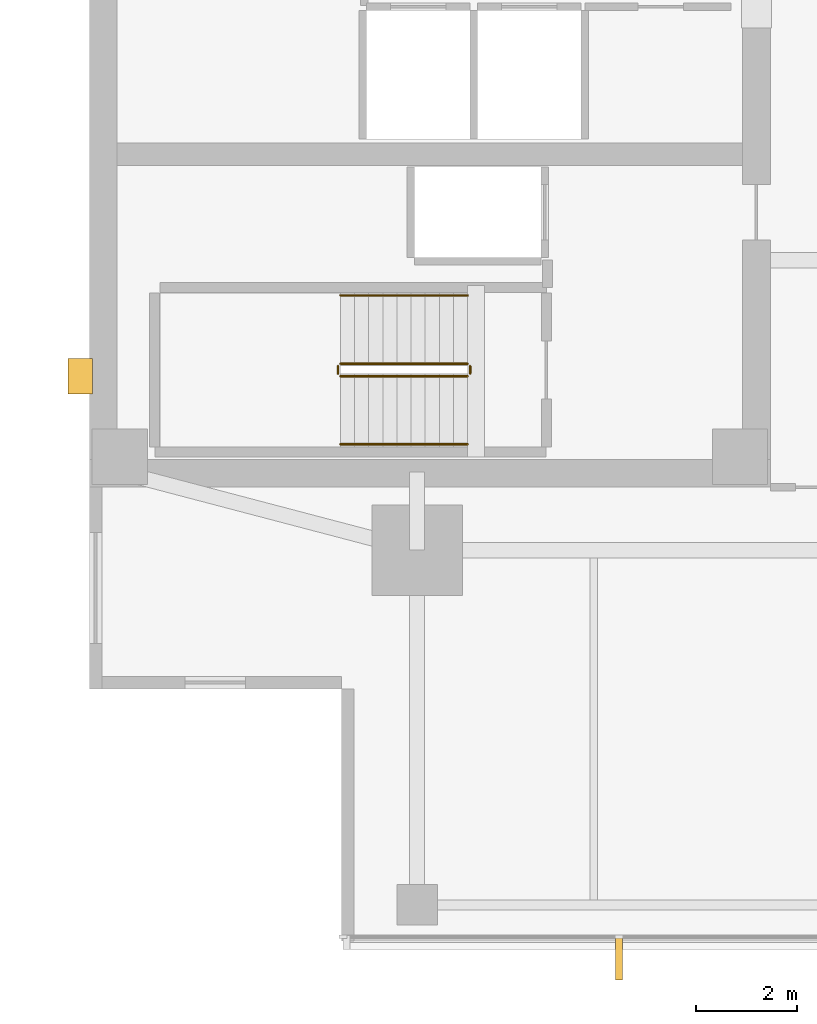
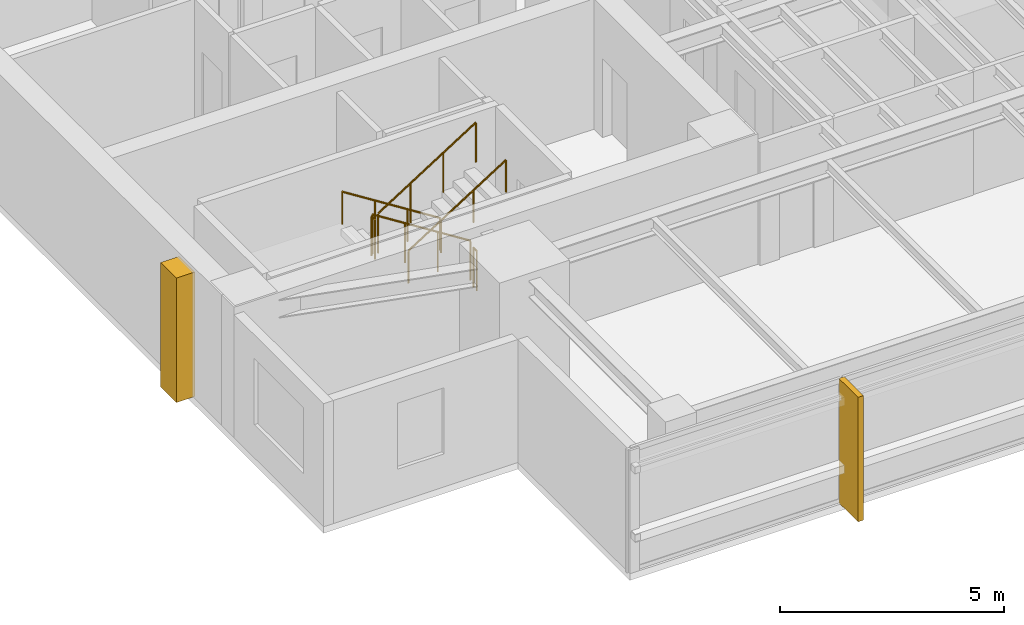
# One storey, part 11 of 15: 6 railings, 2 coverings.
"""IFC4 building model written with IfcOpenShell, lengths in metres."""

from ifc_helpers import new_model, si_unit, direction, frame, origin, origin_2d, place, context, subcontext, project, spatial, polyline, circle, outline, extrude, material, layer, layer_set, type_object, element, save


model = new_model("IFC4")

# Units and contexts
model_context = context("Model", 3, precision=1e-05, world=origin(), true_north=direction((0.0, 1.0)))
body_context = subcontext(model_context, "Body", "Model", "MODEL_VIEW")
ifc_project = project(units=[si_unit("LENGTHUNIT", "METRE"), si_unit("AREAUNIT", "SQUARE_METRE"), si_unit("VOLUMEUNIT", "CUBIC_METRE"), si_unit("PLANEANGLEUNIT", "RADIAN"), si_unit("MASSUNIT", "GRAM", prefix="KILO")], contexts=[model_context])

# Site, building, storey
site_placement = place(None, origin())
site = spatial("IfcSite", under=ifc_project, at=site_placement, CompositionType="ELEMENT")
building_placement = place(site_placement, origin())
building = spatial("IfcBuilding", under=site, at=building_placement, Name="Kinhvarn Gate Tower", CompositionType="ELEMENT")
storey_placement = place(building_placement, frame((0.0, 0.0, 237.75)))
storey = spatial("IfcBuildingStorey", under=building, at=storey_placement, Name="L63", CompositionType="ELEMENT", Elevation=237.75)

# Coverings
ifc_material_1 = material(Name="Fired architectural terracotta", Category="masonry")
ifc_layer_1 = layer(ifc_material_1, 0.139892578125)
ifc_layer_set_1 = layer_set([ifc_layer_1], Name="Fired architectural terracotta")
covering_type_1 = type_object("IfcCoveringType", Name="COV-FIN-850", PredefinedType="CLADDING", material=ifc_layer_set_1)
covering_1_placement = place(storey_placement, frame((0.0, 0.0, -0.02001953125)))
element("IfcCovering", 1, at=covering_1_placement, inside=storey, type_object=covering_type_1, Name="Vertical Terracotta Expressive Fin TFN-850 (L63)", PredefinedType="CLADDING", context=body_context, shape_type="SweptSolid", body=[
    extrude(outline(polyline([(14.929931640625, 5.080078125), (15.070068359375, 5.080078125), (15.070068359375, 4.22998046875), (14.929931640625, 4.22998046875), (14.929931640625, 5.080078125)])), origin(), (0.0, 0.0, 1.0), 3.39013671875),
])
ifc_material_2 = material(Name="Precast white architectural concrete C40/50", Category="concrete")
ifc_layer_2 = layer(ifc_material_2, 0.47998046875)
ifc_layer_set_2 = layer_set([ifc_layer_2], Name="Precast white architectural concrete C40/50")
covering_type_2 = type_object("IfcCoveringType", Name="COV-RIB-450", PredefinedType="CLADDING", material=ifc_layer_set_2)
covering_2_placement = place(storey_placement, frame((0.0, 0.0, -0.02001953125)))
element("IfcCovering", 2, at=covering_2_placement, inside=storey, type_object=covering_type_2, Name="West Core Sculptural Concrete Relief Rib CRB-450 (L63)", PredefinedType="CLADDING", context=body_context, shape_type="SweptSolid", body=[
    extrude(outline(polyline([(4.080078125, 15.85009765625), (4.56005859375, 15.85009765625), (4.56005859375, 16.550048828125), (4.080078125, 16.550048828125), (4.080078125, 15.85009765625)])), origin(), (0.0, 0.0, 1.0), 3.39013671875),
])

# Railings
ifc_material_3 = material(Name="Steel S355", Category="steel")
railing_type_1 = type_object("IfcRailingType", Name="RL-ST-GRD", PredefinedType="BALUSTRADE", material=ifc_material_3)
railing_1_placement = place(storey_placement, frame((12.0, 16.449951171875, 0.177490234375)))
element("IfcRailing", 3, at=railing_1_placement, inside=storey, type_object=railing_type_1, Name="L63 ST1 stair guard 1", PredefinedType="BALUSTRADE", context=body_context, shape_type="SweptSolid", body=[
    extrude(circle(Radius=0.02392578125, at=origin_2d()), frame((0.0, 0.0, 1.076171875), z_axis=(-0.84460694969, 0.0, 0.535386869969), x_axis=(0.0, -1.0, 0.0)), (0.0, 0.0, 1.0), 2.983642578125),
    extrude(circle(Radius=0.02099609375, at=origin_2d()), origin(), (0.0, 0.0, 1.0), 1.052001953125),
    extrude(circle(Radius=0.02099609375, at=origin_2d()), frame((-0.840087890625, 0.0, 0.532470703125)), (0.0, 0.0, 1.0), 1.052001953125),
    extrude(circle(Radius=0.02099609375, at=origin_2d()), frame((-1.679931640625, 0.0, 1.06494140625)), (0.0, 0.0, 1.0), 1.052001953125),
    extrude(circle(Radius=0.02099609375, at=origin_2d()), frame((-2.52001953125, 0.0, 1.597412109375)), (0.0, 0.0, 1.0), 1.052001953125),
])
railing_2_placement = place(storey_placement, frame((9.429931640625, 16.39990234375, 1.77490234375)))
element("IfcRailing", 4, at=railing_2_placement, inside=storey, type_object=railing_type_1, Name="L63 ST1 stair guard 2", PredefinedType="BALUSTRADE", context=body_context, shape_type="SweptSolid", body=[
    extrude(circle(Radius=0.02392578125, at=origin_2d()), frame((0.0, 0.0, 1.076171875), z_axis=(0.0, -1.0, 0.0), x_axis=(1.0, 0.0, 0.0)), (0.0, 0.0, 1.0), 0.14990234375),
    extrude(circle(Radius=0.02099609375, at=origin_2d()), origin(), (0.0, 0.0, 1.0), 1.052001953125),
    extrude(circle(Radius=0.02099609375, at=origin_2d()), frame((0.0, -0.14990234375, 0.0)), (0.0, 0.0, 1.0), 1.052001953125),
])
railing_3_placement = place(storey_placement, frame((9.47998046875, 16.199951171875, 1.952392578125)))
element("IfcRailing", 5, at=railing_3_placement, inside=storey, type_object=railing_type_1, Name="L63 ST1 stair guard 3", PredefinedType="BALUSTRADE", context=body_context, shape_type="SweptSolid", body=[
    extrude(circle(Radius=0.02392578125, at=origin_2d()), frame((0.0, 0.0, 1.076171875), z_axis=(0.84456994832, 0.0, 0.535445237532), x_axis=(0.0, 1.0, 0.0)), (0.0, 0.0, 1.0), 2.98388671875),
    extrude(circle(Radius=0.02099609375, at=origin_2d()), origin(), (0.0, 0.0, 1.0), 1.052001953125),
    extrude(circle(Radius=0.02099609375, at=origin_2d()), frame((0.840087890625, 0.0, 0.532470703125)), (0.0, 0.0, 1.0), 1.052001953125),
    extrude(circle(Radius=0.02099609375, at=origin_2d()), frame((1.679931640625, 0.0, 1.065185546875)), (0.0, 0.0, 1.0), 1.052001953125),
    extrude(circle(Radius=0.02099609375, at=origin_2d()), frame((2.52001953125, 0.0, 1.59765625)), (0.0, 0.0, 1.0), 1.052001953125),
])
railing_4_placement = place(storey_placement, frame((12.050048828125, 16.39990234375, 0.0)))
element("IfcRailing", 6, at=railing_4_placement, inside=storey, type_object=railing_type_1, Name="L63 ST1 stair guard 4", PredefinedType="BALUSTRADE", context=body_context, shape_type="SweptSolid", body=[
    extrude(circle(Radius=0.02392578125, at=origin_2d()), frame((0.0, 0.0, 1.076171875), z_axis=(0.0, -1.0, 0.0), x_axis=(1.0, 0.0, 0.0)), (0.0, 0.0, 1.0), 0.14990234375),
    extrude(circle(Radius=0.02099609375, at=origin_2d()), origin(), (0.0, 0.0, 1.0), 1.052001953125),
    extrude(circle(Radius=0.02099609375, at=origin_2d()), frame((0.0, -0.14990234375, 0.0)), (0.0, 0.0, 1.0), 1.052001953125),
])
railing_type_2 = type_object("IfcRailingType", Name="RL-ST-HND", PredefinedType="HANDRAIL", material=ifc_material_3)
railing_5_placement = place(storey_placement, frame((12.0, 17.800048828125, 0.177490234375)))
element("IfcRailing", 7, at=railing_5_placement, inside=storey, type_object=railing_type_2, Name="L63 ST1 stair handrail 1", PredefinedType="HANDRAIL", context=body_context, shape_type="SweptSolid", body=[
    extrude(circle(Radius=0.02392578125, at=origin_2d()), frame((0.0, 0.0, 0.8759765625), z_axis=(-0.84460694969, 0.0, 0.535386869969), x_axis=(0.0, -1.0, 0.0)), (0.0, 0.0, 1.0), 2.983642578125),
    extrude(circle(Radius=0.02099609375, at=origin_2d()), origin(), (0.0, 0.0, 1.0), 0.851806640625),
    extrude(circle(Radius=0.02099609375, at=origin_2d()), frame((-0.840087890625, 0.0, 0.532470703125)), (0.0, 0.0, 1.0), 0.851806640625),
    extrude(circle(Radius=0.02099609375, at=origin_2d()), frame((-1.679931640625, 0.0, 1.06494140625)), (0.0, 0.0, 1.0), 0.851806640625),
    extrude(circle(Radius=0.02099609375, at=origin_2d()), frame((-2.52001953125, 0.0, 1.597412109375)), (0.0, 0.0, 1.0), 0.851806640625),
])
railing_6_placement = place(storey_placement, frame((9.47998046875, 14.85009765625, 1.952392578125)))
element("IfcRailing", 8, at=railing_6_placement, inside=storey, type_object=railing_type_2, Name="L63 ST1 stair handrail 2", PredefinedType="HANDRAIL", context=body_context, shape_type="SweptSolid", body=[
    extrude(circle(Radius=0.02392578125, at=origin_2d()), frame((0.0, 0.0, 0.8759765625), z_axis=(0.84456994832, 0.0, 0.535445237532), x_axis=(0.0, 1.0, 0.0)), (0.0, 0.0, 1.0), 2.98388671875),
    extrude(circle(Radius=0.02099609375, at=origin_2d()), origin(), (0.0, 0.0, 1.0), 0.851806640625),
    extrude(circle(Radius=0.02099609375, at=origin_2d()), frame((0.840087890625, 0.0, 0.532470703125)), (0.0, 0.0, 1.0), 0.851806640625),
    extrude(circle(Radius=0.02099609375, at=origin_2d()), frame((1.679931640625, 0.0, 1.065185546875)), (0.0, 0.0, 1.0), 0.851806640625),
    extrude(circle(Radius=0.02099609375, at=origin_2d()), frame((2.52001953125, 0.0, 1.59765625)), (0.0, 0.0, 1.0), 0.851806640625),
])

save(model, "model.ifc")
